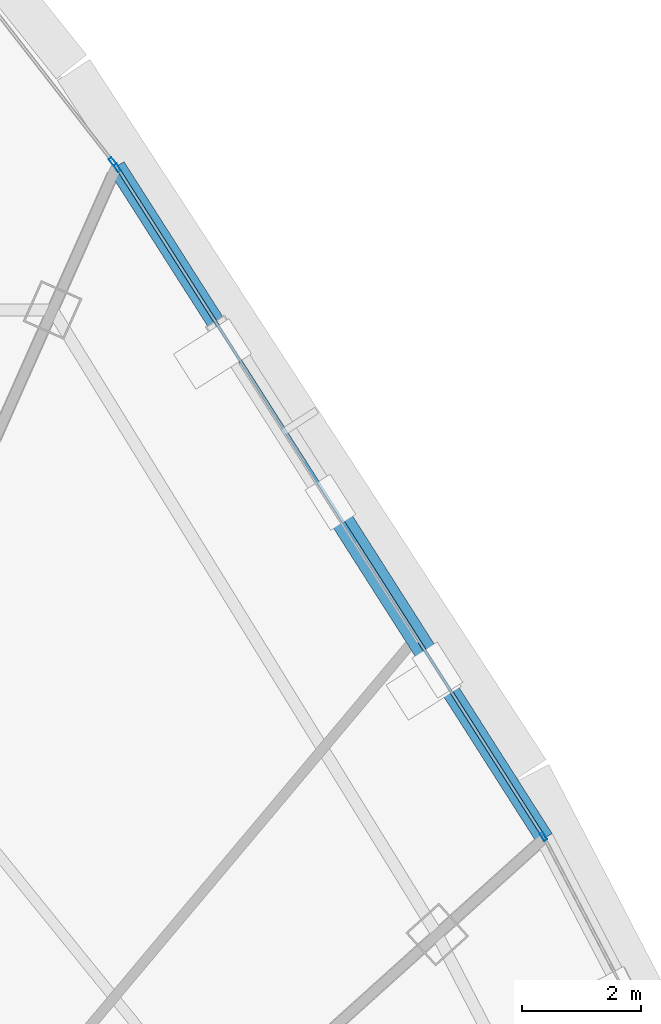
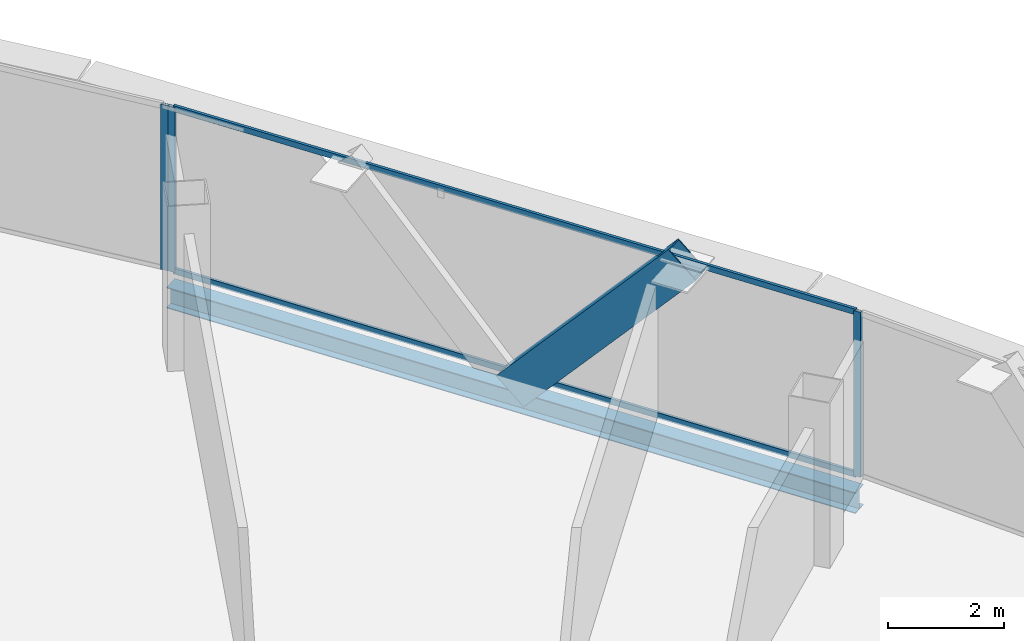
# One storey, part 26 of 39: 6 members, 1 beam, 2 elements without a shape of their own.
"""IFC4 building model written with IfcOpenShell, lengths in metres."""

import ifcopenshell
import ifcopenshell.guid

model = None  # the IFC model being written
_history = None  # IfcOwnerHistory: only IFC2X3 demands one
_inside = {}  # id of a spatial element -> (the spatial element, [elements in it])
_under = {}  # id of a project, library or spatial element -> (it, [spatial elements below it])
_declared = {}  # id of a project -> (the project, [libraries it declares])
_typed = {}  # id of a type object -> (the type object, [elements of that type])
_made_of = {}  # id of a material, layer set ... -> (it, [elements and type objects made of it])


def new_model(schema):
    """Start an empty IFC model of exactly this schema.

    Asked for "IFC4X3", IfcOpenShell would pick the latest addendum, in which some entities
    have other attributes; the version numbers below select the first issue.
    IFC2X3 requires an IfcOwnerHistory on every rooted entity: one is made here for all.
    """
    global model, _history
    if schema == "IFC4X3":
        model = ifcopenshell.file(schema_version=(4, 3, 0, 0))
    else:
        model = ifcopenshell.file(schema=schema)
    _inside.clear()
    _under.clear()
    _declared.clear()
    _typed.clear()
    _made_of.clear()
    _history = None
    if model.schema == "IFC2X3":
        org = make("IfcOrganization", Name="unknown")
        user = make(
            "IfcPersonAndOrganization",
            ThePerson=make("IfcPerson", FamilyName="unknown"),
            TheOrganization=org,
        )
        app = make(
            "IfcApplication",
            ApplicationDeveloper=org,
            Version="unknown",
            ApplicationFullName="unknown",
            ApplicationIdentifier="unknown",
        )
        _history = make(
            "IfcOwnerHistory",
            OwningUser=user,
            OwningApplication=app,
            ChangeAction="ADDED",
            CreationDate=0,
        )
    return model


def make(cls, **values):
    """One entity of the class cls with the attributes given. An attribute that is None is left unset."""
    return model.create_entity(
        cls, **{name: value for name, value in values.items() if value is not None}
    )


def rooted(cls, **values):
    """An entity with a GlobalId (a new one), such as an element, a storey or a relation."""
    return make(cls, GlobalId=ifcopenshell.guid.new(), OwnerHistory=_history, **values)


def si_unit(unit_type, name, prefix=None):
    """IfcSIUnit, for example si_unit("LENGTHUNIT", "METRE", prefix="MILLI")."""
    return make("IfcSIUnit", UnitType=unit_type, Prefix=prefix, Name=name)


def assignment(units):
    """IfcUnitAssignment: the units of a project."""
    return None if units is None else make("IfcUnitAssignment", Units=units)


def point(xyz):
    """IfcCartesianPoint."""
    return None if xyz is None else make("IfcCartesianPoint", Coordinates=xyz)


def direction(xyz):
    """IfcDirection."""
    return None if xyz is None else make("IfcDirection", DirectionRatios=xyz)


def frame(location, z_axis=None, x_axis=None):
    """IfcAxis2Placement3D, a coordinate frame: its origin and axes. An axis left out is left unset."""
    return make(
        "IfcAxis2Placement3D",
        Location=point(location),
        Axis=direction(z_axis),
        RefDirection=direction(x_axis),
    )


def frame_2d(location, x_axis=None):
    """IfcAxis2Placement2D, a coordinate frame in the plane: its origin and x axis."""
    return make(
        "IfcAxis2Placement2D", Location=point(location), RefDirection=direction(x_axis)
    )


def origin():
    """The frame at (0, 0, 0) with its axes left unset."""
    return frame((0.0, 0.0, 0.0))


def origin_2d():
    """The frame at (0, 0) in the plane with its x axis left unset."""
    return frame_2d((0.0, 0.0))


def place(relative_to, where):
    """IfcLocalPlacement: puts the frame where relative to a parent placement (None: the world)."""
    return make(
        "IfcLocalPlacement", PlacementRelTo=relative_to, RelativePlacement=where
    )


def context(
    kind, dimensions, precision=None, world=None, true_north=None, identifier=None
):
    """IfcGeometricRepresentationContext, for example the 3D "Model" context."""
    return make(
        "IfcGeometricRepresentationContext",
        ContextIdentifier=identifier,
        ContextType=kind,
        CoordinateSpaceDimension=dimensions,
        Precision=precision,
        WorldCoordinateSystem=world,
        TrueNorth=true_north,
    )


def subcontext(parent, identifier, kind, view, scale=None):
    """IfcGeometricRepresentationSubContext, for example "Body" below "Model"."""
    return make(
        "IfcGeometricRepresentationSubContext",
        ContextIdentifier=identifier,
        ContextType=kind,
        ParentContext=parent,
        TargetScale=scale,
        TargetView=view,
    )


def project(units=None, contexts=None):
    """IfcProject with its units and contexts."""
    return rooted(
        "IfcProject",
        Name="project",
        RepresentationContexts=contexts,
        UnitsInContext=assignment(units),
    )


def spatial(cls, under=None, at=None, **own):
    """A site, building, storey or space (cls), placed at a placement, below another one or the project."""
    s = rooted(cls, ObjectPlacement=at, **own)
    if under is not None:
        _under.setdefault(under.id(), (under, []))[1].append(s)
    return s


def profile(cls, at=None, kind="AREA", **sizes):
    """A parametric profile (cls). Its sizes go by their IFC names, for example OverallWidth=200.0."""
    return make(cls, ProfileType=kind, Position=at, **sizes)


def hollow_rectangle(**sizes):
    """IfcRectangleHollowProfileDef."""
    return profile("IfcRectangleHollowProfileDef", **sizes)


def i_section(**sizes):
    """IfcIShapeProfileDef."""
    return profile("IfcIShapeProfileDef", **sizes)


def extrude(swept, where, along, depth):
    """IfcExtrudedAreaSolid: the profile swept, set in the frame where, extruded along a direction by depth."""
    return make(
        "IfcExtrudedAreaSolid",
        SweptArea=swept,
        Position=where,
        ExtrudedDirection=direction(along),
        Depth=depth,
    )


def shape(context_of_items, identifier, shape_type, items):
    """IfcShapeRepresentation: the items that make up one representation, for example the "Body"."""
    return make(
        "IfcShapeRepresentation",
        ContextOfItems=context_of_items,
        RepresentationIdentifier=identifier,
        RepresentationType=shape_type,
        Items=items,
    )


def source(mapping_origin, context_of_items, identifier, shape_type, items):
    """IfcRepresentationMap: a shape defined once, which mapped items show again and again."""
    return make(
        "IfcRepresentationMap",
        MappingOrigin=mapping_origin,
        MappedRepresentation=shape(context_of_items, identifier, shape_type, items),
    )


def transform(
    local_origin,
    x_axis=None,
    y_axis=None,
    z_axis=None,
    scale=None,
    scale2=None,
    scale3=None,
    uniform=True,
):
    """IfcCartesianTransformationOperator3D, or its non-uniform kind. x_axis, y_axis, z_axis: its Axis1, 2, 3."""
    if uniform:
        return make(
            "IfcCartesianTransformationOperator3D",
            Axis1=direction(x_axis),
            Axis2=direction(y_axis),
            LocalOrigin=point(local_origin),
            Scale=scale,
            Axis3=direction(z_axis),
        )
    return make(
        "IfcCartesianTransformationOperator3DnonUniform",
        Axis1=direction(x_axis),
        Axis2=direction(y_axis),
        LocalOrigin=point(local_origin),
        Scale=scale,
        Axis3=direction(z_axis),
        Scale2=scale2,
        Scale3=scale3,
    )


def mapped(mapping_source, mapping_target):
    """IfcMappedItem: shows the shape of a source again, moved by a transform."""
    return make(
        "IfcMappedItem", MappingSource=mapping_source, MappingTarget=mapping_target
    )


def material(Name=None, Category=None):
    """IfcMaterial."""
    return make("IfcMaterial", Name=Name, Category=Category)


def layer(
    of_material, thickness, ventilated=None, Name=None, Category=None, Priority=None
):
    """IfcMaterialLayer: one layer of a wall or slab, of a material (None: an air gap)."""
    return make(
        "IfcMaterialLayer",
        Material=of_material,
        LayerThickness=thickness,
        IsVentilated=ventilated,
        Name=Name,
        Category=Category,
        Priority=Priority,
    )


def layer_set(layers, Name=None):
    """IfcMaterialLayerSet."""
    return make("IfcMaterialLayerSet", MaterialLayers=layers, LayerSetName=Name)


def material_profile(
    of_material, cross_section, Name=None, Category=None, Priority=None
):
    """IfcMaterialProfile: a cross section and its material."""
    return make(
        "IfcMaterialProfile",
        Name=Name,
        Material=of_material,
        Profile=cross_section,
        Priority=Priority,
        Category=Category,
    )


def profile_set(profiles, Name=None, composite=None):
    """IfcMaterialProfileSet."""
    return make(
        "IfcMaterialProfileSet",
        Name=Name,
        MaterialProfiles=profiles,
        CompositeProfile=composite,
    )


def made_of(thing, what):
    """Note that an element or type object is made of a material, layer set ...; save() writes the relation."""
    if what is not None:
        _made_of.setdefault(what.id(), (what, []))[1].append(thing)
    return thing


def type_object(cls, material=None, **own):
    """A type object (cls), such as IfcWallType, which elements share."""
    return made_of(rooted(cls, **own), material)


def element(
    cls,
    number,
    at=None,
    inside=None,
    cuts=None,
    type_object=None,
    material=None,
    context=None,
    identifier="Body",
    shape_type=None,
    held_by="IfcProductDefinitionShape",
    body=None,
    shapes=None,
    **own,
):
    """One element of the class cls, such as IfcWall. Its Tag is "e" and its number.

    at: its placement. inside: the storey or other place that contains it. cuts: it is an
    opening in that element (IfcRelVoidsElement). A single representation is given by context,
    identifier, shape_type and body (its items); several are given by shapes. held_by: the class
    of the entity that holds the representations. save() writes the other relations.
    """
    e = rooted(cls, Tag="e%d" % number, ObjectPlacement=at, **own)
    if body is not None:
        shapes = [shape(context, identifier, shape_type, body)]
    if shapes is not None:
        e.Representation = make(held_by, Representations=shapes)
    if inside is not None:
        _inside.setdefault(inside.id(), (inside, []))[1].append(e)
    if cuts is not None:
        rooted(
            "IfcRelVoidsElement", RelatingBuildingElement=cuts, RelatedOpeningElement=e
        )
    if type_object is not None:
        _typed.setdefault(type_object.id(), (type_object, []))[1].append(e)
    return made_of(e, material)


def aggregate(whole, parts):
    """IfcRelAggregates: a whole, such as a stair, and the parts it consists of."""
    return rooted("IfcRelAggregates", RelatingObject=whole, RelatedObjects=parts)


def save(model, path):
    """Write the relations noted so far, then the file.

    IfcRelAggregates (storeys below a building ...), IfcRelContainedInSpatialStructure (elements
    in a storey), IfcRelDefinesByType, IfcRelAssociatesMaterial and IfcRelDeclares: one each for
    every whole, place, type object, material and project.
    """
    for whole, parts in _under.values():
        aggregate(whole, parts)
    for where, things in _inside.values():
        rooted(
            "IfcRelContainedInSpatialStructure",
            RelatedElements=things,
            RelatingStructure=where,
        )
    for kind, things in _typed.values():
        rooted("IfcRelDefinesByType", RelatedObjects=things, RelatingType=kind)
    for what, things in _made_of.values():
        rooted("IfcRelAssociatesMaterial", RelatedObjects=things, RelatingMaterial=what)
    for by, libraries in _declared.values():
        rooted("IfcRelDeclares", RelatingContext=by, RelatedDefinitions=libraries)
    model.write(path)


model = new_model("IFC4")

# Units and contexts
model_context = context("Model", 3, precision=1e-05, world=origin(), true_north=direction((0.0, 1.0)))
body_context = subcontext(model_context, "Body", "Model", "MODEL_VIEW")
ifc_project = project(units=[si_unit("LENGTHUNIT", "METRE"), si_unit("AREAUNIT", "SQUARE_METRE"), si_unit("VOLUMEUNIT", "CUBIC_METRE"), si_unit("PLANEANGLEUNIT", "RADIAN"), si_unit("MASSUNIT", "GRAM", prefix="KILO"), si_unit("THERMODYNAMICTEMPERATUREUNIT", "KELVIN"), si_unit("POWERUNIT", "WATT")], contexts=[model_context])

# Site, building, storey
site_placement = place(None, origin())
site = spatial("IfcSite", under=ifc_project, at=site_placement, CompositionType="ELEMENT")
building_placement = place(site_placement, origin())
building = spatial("IfcBuilding", under=site, at=building_placement, Name="Yunzhuo Pagoda Commons", CompositionType="ELEMENT")
storey_placement = place(building_placement, frame((0.0, 0.0, 296.2099609375)))
storey = spatial("IfcBuildingStorey", under=building, at=storey_placement, Name="L74", CompositionType="ELEMENT", Elevation=296.2099609375)

# Beam
ifc_material_1 = material(Name="Structural steel Q355B", Category="steel")
ifc_material_profile_1 = material_profile(ifc_material_1, i_section(OverallWidth=0.300048828125, OverallDepth=0.43994140625, WebThickness=0.010986328125, FlangeThickness=0.01806640625, at=origin_2d()), Name="Structural steel Q355B")
ifc_profile_set_1 = profile_set([ifc_material_profile_1], Name="Structural steel Q355B")
beam_type = type_object("IfcBeamType", Name="B-SP2 Beam HM 440x300x11x18", PredefinedType="BEAM", material=ifc_profile_set_1)
shared_shape_1 = source(origin(), body_context, "Body", "SweptSolid", [
    extrude(i_section(OverallWidth=0.300048828125, OverallDepth=0.43994140625, WebThickness=0.010986328125, FlangeThickness=0.01806640625, at=origin_2d()), origin(), (0.0, 0.0, 1.0), 13.37060546875),
])
beam_placement = place(storey_placement, frame((68.372802734375, 52.043701171875, -0.479736328125), z_axis=(-0.537394066708, 0.843331261763, 0.0), x_axis=(-0.843331261763, -0.537394066708, 0.0)))
element("IfcBeam", 1, at=beam_placement, inside=storey, type_object=beam_type, Name="L74 facade edge spandrel beam F2.3", PredefinedType="BEAM", context=body_context, shape_type="MappedRepresentation", body=[
    mapped(shared_shape_1, transform((0.0, 0.0, 0.0), scale=1.0)),
])

# Member
ifc_material_profile_2 = material_profile(ifc_material_1, hollow_rectangle(XDim=0.3798828125, YDim=0.719970703125, WallThickness=0.02001953125, at=origin_2d()), Name="Structural steel Q355B")
ifc_profile_set_2 = profile_set([ifc_material_profile_2], Name="Structural steel Q355B")
member_type_1 = type_object("IfcMemberType", Name="M-DL3 Brace BOX 720x380x20", PredefinedType="BRACE", material=ifc_profile_set_2)
shared_shape_2 = source(origin(), body_context, "Body", "SweptSolid", [
    extrude(hollow_rectangle(XDim=0.3798828125, YDim=0.719970703125, WallThickness=0.02001953125, at=origin_2d()), origin(), (0.0, 0.0, 1.0), 5.008544921875),
])
member_1_placement = place(storey_placement, frame((64.780029296875, 57.681640625, -0.260009765625), z_axis=(0.358663395256, -0.562806137759, 0.744721303713), x_axis=(0.843312439259, 0.537423603678, 0.0)))
element("IfcMember", 2, at=member_1_placement, inside=storey, type_object=member_type_1, Name="L74 facade diamond brace F2.3L", PredefinedType="BRACE", context=body_context, shape_type="MappedRepresentation", body=[
    mapped(shared_shape_2, transform((0.0, 0.0, 0.0), scale=1.0)),
])

# Curtain wall, members
ifc_material_2 = material(Name="Anodized aluminium 6063-T6", Category="aluminium")
ifc_layer = layer(ifc_material_2, 0.139892578125)
ifc_layer_set = layer_set([ifc_layer], Name="Anodized aluminium 6063-T6")
curtain_wall_type = type_object("IfcCurtainWallType", Name="CW-HI High-Zone Ribbon Curtain Wall", PredefinedType="NOTDEFINED", material=ifc_layer_set)
curtain_wall_1_placement = place(storey_placement, origin())
curtain_wall_1 = element("IfcCurtainWall", 3, at=curtain_wall_1_placement, inside=storey, type_object=curtain_wall_type, Name="L74 curtain wall CW-L74-F2B4", PredefinedType="NOTDEFINED")
ifc_material_profile_3 = material_profile(ifc_material_2, hollow_rectangle(XDim=0.06005859375, YDim=0.139892578125, WallThickness=0.00341796875, at=origin_2d()), Name="Anodized aluminium 6063-T6")
ifc_profile_set_3 = profile_set([ifc_material_profile_3], Name="Anodized aluminium 6063-T6")
member_type_2 = type_object("IfcMemberType", Name="CW-HI-M Mullion RHS 140x60x3.5", PredefinedType="MULLION", material=ifc_profile_set_3)
shared_shape_3 = source(origin(), body_context, "Body", "SweptSolid", [
    extrude(hollow_rectangle(XDim=0.06005859375, YDim=0.139892578125, WallThickness=0.00341796875, at=origin_2d()), origin(), (0.0, 0.0, 1.0), 3.469970703125),
])
member_2_placement = place(storey_placement, frame((68.35693359375, 52.069091796875, 0.0), z_axis=(0.0, 0.0, 1.0), x_axis=(-0.84332965014, -0.537396595816, 0.0)))
member_2 = element("IfcMember", 4, at=member_2_placement, type_object=member_type_2, Name="CW mullion 1", PredefinedType="MULLION", context=body_context, shape_type="MappedRepresentation", body=[
    mapped(shared_shape_3, transform((0.0, 0.0, 0.0), scale=1.0)),
])
member_3_placement = place(storey_placement, frame((61.20361328125, 63.29443359375, 0.0), z_axis=(0.0, 0.0, 1.0), x_axis=(-0.84332965014, -0.537396595816, 0.0)))
member_3 = element("IfcMember", 5, at=member_3_placement, type_object=member_type_2, Name="CW mullion 2", PredefinedType="MULLION", context=body_context, shape_type="MappedRepresentation", body=[
    mapped(shared_shape_3, transform((0.0, 0.0, 0.0), scale=1.0)),
])

# Curtain wall, member
curtain_wall_2_placement = place(storey_placement, origin())
curtain_wall_2 = element("IfcCurtainWall", 6, at=curtain_wall_2_placement, inside=storey, type_object=curtain_wall_type, Name="L74 curtain wall CW-L74-F2B5", PredefinedType="NOTDEFINED")
member_4_placement = place(storey_placement, frame((61.123046875, 63.402587890625, 0.0), z_axis=(0.0, 0.0, 1.0), x_axis=(-0.789102923127, -0.614261000482, 0.0)))
member_4 = element("IfcMember", 7, at=member_4_placement, type_object=member_type_2, Name="CW mullion 1", PredefinedType="MULLION", context=body_context, shape_type="MappedRepresentation", body=[
    mapped(shared_shape_3, transform((0.0, 0.0, 0.0), scale=1.0)),
])
aggregate(curtain_wall_2, [member_4])

# Member
ifc_material_profile_4 = material_profile(ifc_material_2, hollow_rectangle(XDim=0.054931640625, YDim=0.1201171875, WallThickness=0.00341796875, at=origin_2d()), Name="Anodized aluminium 6063-T6")
ifc_profile_set_4 = profile_set([ifc_material_profile_4], Name="Anodized aluminium 6063-T6")
member_type_3 = type_object("IfcMemberType", Name="CW-HI-T Transom RHS 120x55x3.5", PredefinedType="USERDEFINED", material=ifc_profile_set_4)
shared_shape_4 = source(origin(), body_context, "Body", "SweptSolid", [
    extrude(hollow_rectangle(XDim=0.054931640625, YDim=0.1201171875, WallThickness=0.00341796875, at=origin_2d()), origin(), (0.0, 0.0, 1.0), 13.25048828125),
])
member_5_placement = place(storey_placement, frame((68.340576171875, 52.094482421875, 0.027587890625), z_axis=(-0.537399957032, 0.843327508256, 0.0), x_axis=(-0.843327508256, -0.537399957032, 0.0)))
member_5 = element("IfcMember", 8, at=member_5_placement, type_object=member_type_3, Name="CW transom 1.1", ObjectType="TRANSOM", PredefinedType="USERDEFINED", context=body_context, shape_type="MappedRepresentation", body=[
    mapped(shared_shape_4, transform((0.0, 0.0, 0.0), scale=1.0)),
])

member_6_placement = place(storey_placement, frame((68.340576171875, 52.094482421875, 3.442626953125), z_axis=(-0.537399957032, 0.843327508256, 0.0), x_axis=(-0.843327508256, -0.537399957032, 0.0)))
member_6 = element("IfcMember", 9, at=member_6_placement, type_object=member_type_3, Name="CW transom 1.2", ObjectType="TRANSOM", PredefinedType="USERDEFINED", context=body_context, shape_type="MappedRepresentation", body=[
    mapped(shared_shape_4, transform((0.0, 0.0, 0.0), scale=1.0)),
])

aggregate(curtain_wall_1, [member_2, member_3, member_5, member_6])

save(model, "model.ifc")
